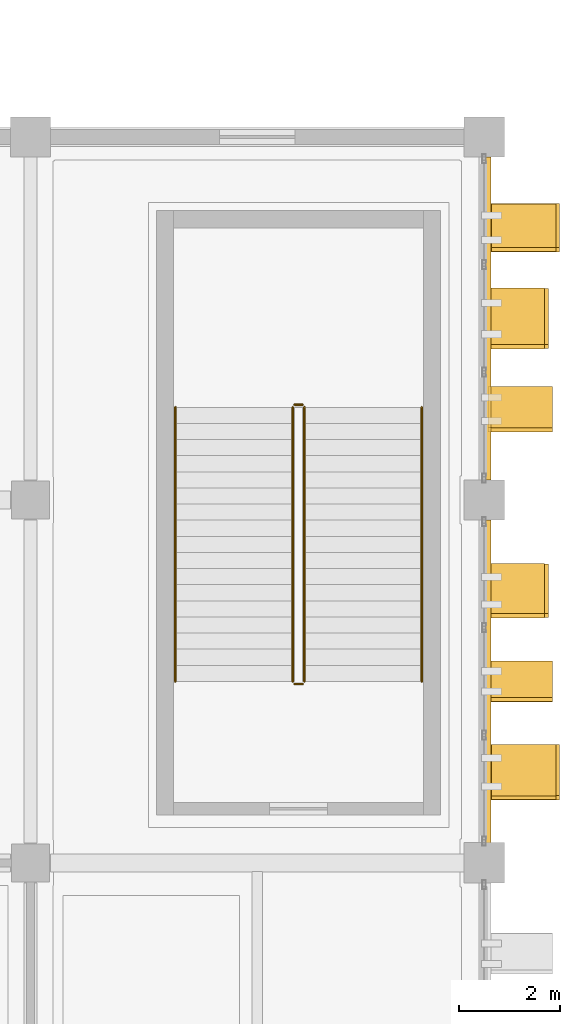
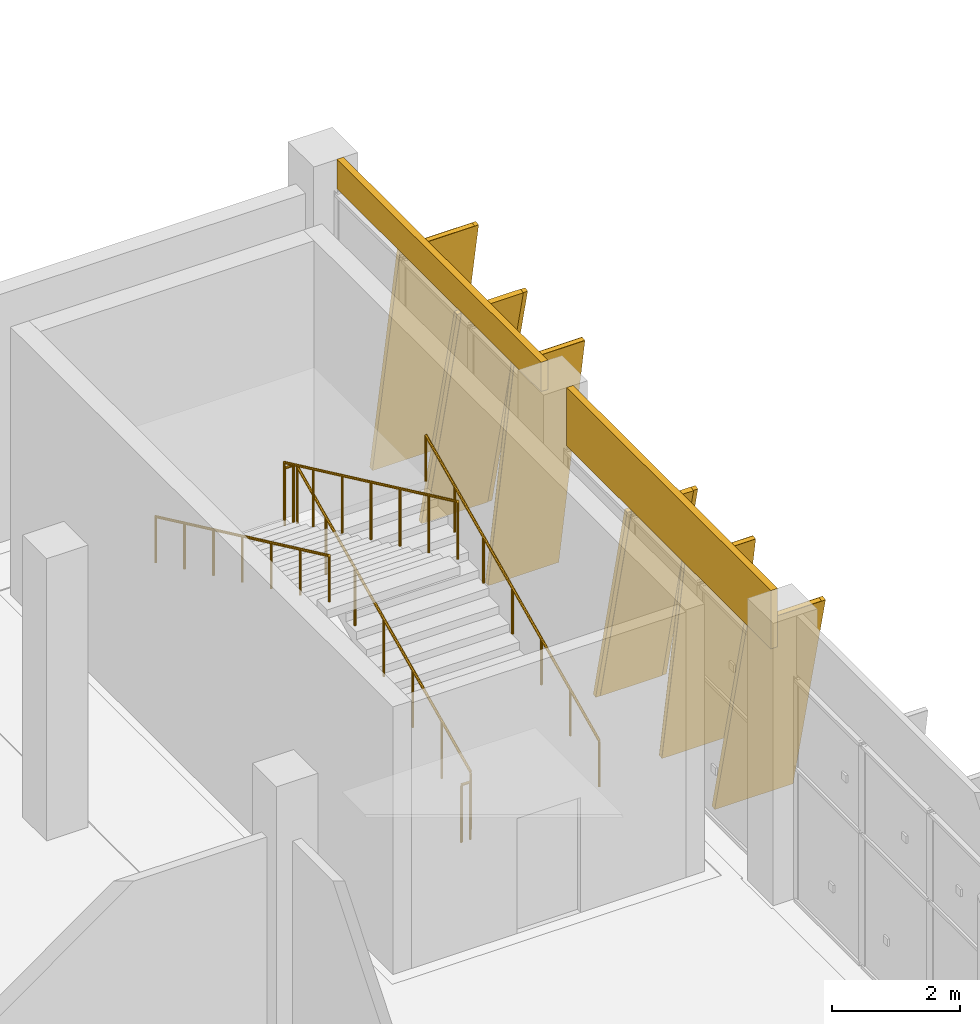
# One storey, part 123 of 137: 8 coverings, 6 railings, 6 shading devices.
"""IFC4 building model written with IfcOpenShell, lengths in metres."""

from ifc_helpers import new_model, si_unit, direction, frame, origin, origin_2d, place, context, subcontext, project, spatial, rectangle, circle, extrude, material, layer, layer_set, material_profile, profile_set, type_object, element, save


model = new_model("IFC4")

# Units and contexts
model_context = context("Model", 3, precision=1e-05, world=origin(), true_north=direction((0.0, 1.0)))
body_context = subcontext(model_context, "Body", "Model", "MODEL_VIEW")
ifc_project = project(units=[si_unit("LENGTHUNIT", "METRE"), si_unit("AREAUNIT", "SQUARE_METRE"), si_unit("VOLUMEUNIT", "CUBIC_METRE"), si_unit("PLANEANGLEUNIT", "RADIAN"), si_unit("MASSUNIT", "GRAM", prefix="KILO")], contexts=[model_context])

# Site, building, storey
site_placement = place(None, origin())
site = spatial("IfcSite", under=ifc_project, at=site_placement, CompositionType="ELEMENT")
building_placement = place(site_placement, origin())
building = spatial("IfcBuilding", under=site, at=building_placement, Name="Celestram Park Convention Centre", CompositionType="ELEMENT")
storey_placement = place(building_placement, origin())
storey = spatial("IfcBuildingStorey", under=building, at=storey_placement, Name="L00", CompositionType="ELEMENT", Elevation=0.0)

# Coverings
ifc_material_1 = material(Name="Anodised Bronze Aluminium Spandrel Cladding", Category="aluminium")
ifc_layer_1 = layer(ifc_material_1, 0.050048828125)
ifc_layer_set_1 = layer_set([ifc_layer_1], Name="Anodised Bronze Aluminium Spandrel Cladding")
covering_type_1 = type_object("IfcCoveringType", Name="ARC-COV-CLD060", PredefinedType="CLADDING", material=ifc_layer_set_1)
covering_1_placement = place(storey_placement, frame((216.080078125, 32.39990234375, 4.840087890625), z_axis=(0.0, 0.0, 1.0), x_axis=(0.0, -1.0, 0.0)))
element("IfcCovering", 1, at=covering_1_placement, inside=storey, type_object=covering_type_1, Name="Bronze spandrel cladding CL-L00-021", PredefinedType="CLADDING", context=body_context, shape_type="SweptSolid", body=[
    extrude(rectangle(XDim=6.404052734375, YDim=0.1201171875, at=origin_2d()), origin(), (0.0, 0.0, 1.0), 0.56005859375),
])
covering_2_placement = place(storey_placement, frame((216.080078125, 25.199951171875, 4.2841796875), z_axis=(0.0, 0.0, 1.0), x_axis=(0.0, -1.0, 0.0)))
element("IfcCovering", 2, at=covering_2_placement, inside=storey, type_object=covering_type_1, Name="Bronze spandrel cladding CL-L00-022", PredefinedType="CLADDING", context=body_context, shape_type="SweptSolid", body=[
    extrude(rectangle(XDim=6.404052734375, YDim=0.1201171875, at=origin_2d()), origin(), (0.0, 0.0, 1.0), 1.115966796875),
])
ifc_material_2 = material(Name="Timber-Toned Anodised Aluminium Alloy 6063-T6", Category="wood")
ifc_material_profile_1 = material_profile(ifc_material_2, rectangle(XDim=1.1201171875, YDim=0.090087890625, at=origin_2d()), Name="REED1120X90")
ifc_profile_set_1 = profile_set([ifc_material_profile_1], Name="Timber-Toned Anodised Aluminium Alloy 6063-T6")
covering_type_2 = type_object("IfcCoveringType", Name="ARC-COV-FIN1120", PredefinedType="CLADDING", material=ifc_profile_set_1)
covering_3_placement = place(storey_placement, frame((216.639892578125, 32.95751953125, 0.070556640625), z_axis=(0.0, -0.231808084976, 0.972761538991), x_axis=(1.0, 0.0, 0.0)))
element("IfcCovering", 3, at=covering_3_placement, inside=storey, type_object=covering_type_2, Name="Leaning timber-toned reed fin RFN-L00-0069", PredefinedType="CLADDING", context=body_context, shape_type="SweptSolid", body=[
    extrude(rectangle(XDim=1.1201171875, YDim=0.090087890625, at=origin_2d()), origin(), (0.0, 0.0, 1.0), 4.81005859375),
])
covering_4_placement = place(storey_placement, frame((216.639892578125, 27.492919921875, 0.06298828125), z_axis=(0.0, -0.231744667223, 0.972776649192), x_axis=(1.0, 0.0, 0.0)))
element("IfcCovering", 4, at=covering_4_placement, inside=storey, type_object=covering_type_2, Name="Leaning timber-toned reed fin RFN-L00-0071", PredefinedType="CLADDING", context=body_context, shape_type="SweptSolid", body=[
    extrude(rectangle(XDim=1.1201171875, YDim=0.090087890625, at=origin_2d()), origin(), (0.0, 0.0, 1.0), 4.25390625),
])
ifc_material_profile_2 = material_profile(ifc_material_2, rectangle(XDim=1.280029296875, YDim=0.090087890625, at=origin_2d()), Name="REED1280X90")
ifc_profile_set_2 = profile_set([ifc_material_profile_2], Name="Timber-Toned Anodised Aluminium Alloy 6063-T6")
covering_type_3 = type_object("IfcCoveringType", Name="ARC-COV-FIN1280", PredefinedType="CLADDING", material=ifc_profile_set_2)
covering_5_placement = place(storey_placement, frame((216.719970703125, 31.009521484375, 0.0400390625), z_axis=(0.0, -0.170240052999, 0.985402620432), x_axis=(1.0, 0.0, 0.0)))
element("IfcCovering", 5, at=covering_5_placement, inside=storey, type_object=covering_type_3, Name="Leaning timber-toned reed fin RFN-L00-0070", PredefinedType="CLADDING", context=body_context, shape_type="SweptSolid", body=[
    extrude(rectangle(XDim=1.280029296875, YDim=0.090087890625, at=origin_2d()), origin(), (0.0, 0.0, 1.0), 4.81005859375),
])
covering_6_placement = place(storey_placement, frame((216.719970703125, 25.56201171875, 0.035888671875), z_axis=(0.0, -0.170212469011, 0.985407385498), x_axis=(1.0, 0.0, 0.0)))
element("IfcCovering", 6, at=covering_6_placement, inside=storey, type_object=covering_type_3, Name="Leaning timber-toned reed fin RFN-L00-0072", PredefinedType="CLADDING", context=body_context, shape_type="SweptSolid", body=[
    extrude(rectangle(XDim=1.280029296875, YDim=0.090087890625, at=origin_2d()), origin(), (0.0, 0.0, 1.0), 4.254150390625),
])
ifc_material_profile_3 = material_profile(ifc_material_2, rectangle(XDim=1.419921875, YDim=0.090087890625, at=origin_2d()), Name="REED1420X90")
ifc_profile_set_3 = profile_set([ifc_material_profile_3], Name="Timber-Toned Anodised Aluminium Alloy 6063-T6")
covering_type_4 = type_object("IfcCoveringType", Name="ARC-COV-FIN1420", PredefinedType="CLADDING", material=ifc_profile_set_3)
covering_7_placement = place(storey_placement, frame((216.7900390625, 34.634033203125, 0.04443359375), z_axis=(0.0, -0.180493192635, 0.983576233656), x_axis=(1.0, 0.0, 0.0)))
element("IfcCovering", 7, at=covering_7_placement, inside=storey, type_object=covering_type_4, Name="Leaning timber-toned reed fin RFN-L00-0068", PredefinedType="CLADDING", context=body_context, shape_type="SweptSolid", body=[
    extrude(rectangle(XDim=1.419921875, YDim=0.090087890625, at=origin_2d()), origin(), (0.0, 0.0, 1.0), 4.81005859375),
])
covering_8_placement = place(storey_placement, frame((216.7900390625, 23.907470703125, 0.06640625), z_axis=(0.0, -0.238576962155, 0.971123593127), x_axis=(1.0, 0.0, 0.0)))
element("IfcCovering", 8, at=covering_8_placement, inside=storey, type_object=covering_type_4, Name="Leaning timber-toned reed fin RFN-L00-0073", PredefinedType="CLADDING", context=body_context, shape_type="SweptSolid", body=[
    extrude(rectangle(XDim=1.419921875, YDim=0.090087890625, at=origin_2d()), origin(), (0.0, 0.0, 1.0), 4.25390625),
])

# Shading devices
ifc_material_3 = material(Name="Anodised Bronze Aluminium Alloy 6063-T6", Category="aluminium")
ifc_material_profile_4 = material_profile(ifc_material_3, rectangle(XDim=1.280029296875, YDim=0.080078125, at=origin_2d()), Name="FIN1280X80")
ifc_profile_set_4 = profile_set([ifc_material_profile_4], Name="Anodised Bronze Aluminium Alloy 6063-T6")
shading_device_type = type_object("IfcShadingDeviceType", Name="ARC-FIN-BZ1280", PredefinedType="USERDEFINED", material=ifc_profile_set_4)
for number, where, z_axis, x_axis, name in (
    (9, (216.7900390625, 34.634033203125, 0.04443359375), (0.0, -0.180493192635, 0.983576233656), (1.0, 0.0, 0.0), "Expressive solar fin FN-L00-0068"),
    (10, (216.639892578125, 32.95751953125, 0.070556640625), (0.0, -0.231808084976, 0.972761538991), (1.0, 0.0, 0.0), "Expressive solar fin FN-L00-0069"),
    (11, (216.719970703125, 31.009521484375, 0.0400390625), (0.0, -0.170240052999, 0.985402620432), (1.0, 0.0, 0.0), "Expressive solar fin FN-L00-0070"),
):
    element("IfcShadingDevice", number, at=place(storey_placement, frame(where, z_axis=z_axis, x_axis=x_axis)), inside=storey, type_object=shading_device_type, Name=name, ObjectType="SOLAR_FIN", PredefinedType="USERDEFINED", context=body_context, shape_type="SweptSolid", body=[
        extrude(rectangle(XDim=1.280029296875, YDim=0.080078125, at=origin_2d()), origin(), (0.0, 0.0, 1.0), 4.81005859375),
    ])
shading_device_1_placement = place(storey_placement, frame((216.639892578125, 27.492919921875, 0.06298828125), z_axis=(0.0, -0.231744667223, 0.972776649192), x_axis=(1.0, 0.0, 0.0)))
element("IfcShadingDevice", 12, at=shading_device_1_placement, inside=storey, type_object=shading_device_type, Name="Expressive solar fin FN-L00-0071", ObjectType="SOLAR_FIN", PredefinedType="USERDEFINED", context=body_context, shape_type="SweptSolid", body=[
    extrude(rectangle(XDim=1.280029296875, YDim=0.080078125, at=origin_2d()), origin(), (0.0, 0.0, 1.0), 4.25390625),
])
shading_device_2_placement = place(storey_placement, frame((216.719970703125, 25.56201171875, 0.035888671875), z_axis=(0.0, -0.170212469011, 0.985407385498), x_axis=(1.0, 0.0, 0.0)))
element("IfcShadingDevice", 13, at=shading_device_2_placement, inside=storey, type_object=shading_device_type, Name="Expressive solar fin FN-L00-0072", ObjectType="SOLAR_FIN", PredefinedType="USERDEFINED", context=body_context, shape_type="SweptSolid", body=[
    extrude(rectangle(XDim=1.280029296875, YDim=0.080078125, at=origin_2d()), origin(), (0.0, 0.0, 1.0), 4.254150390625),
])
shading_device_3_placement = place(storey_placement, frame((216.7900390625, 23.907470703125, 0.06640625), z_axis=(0.0, -0.238576962155, 0.971123593127), x_axis=(1.0, 0.0, 0.0)))
element("IfcShadingDevice", 14, at=shading_device_3_placement, inside=storey, type_object=shading_device_type, Name="Expressive solar fin FN-L00-0073", ObjectType="SOLAR_FIN", PredefinedType="USERDEFINED", context=body_context, shape_type="SweptSolid", body=[
    extrude(rectangle(XDim=1.280029296875, YDim=0.080078125, at=origin_2d()), origin(), (0.0, 0.0, 1.0), 4.25390625),
])

# Railings
ifc_material_4 = material(Name="Stainless Steel AISI 316L & Laminated Glass", Category="steel")
ifc_layer_2 = layer(ifc_material_4, 0.06005859375)
ifc_layer_set_2 = layer_set([ifc_layer_2], Name="Stainless Steel AISI 316L & Laminated Glass")
railing_type_1 = type_object("IfcRailingType", Name="ARC-RL-GRD1120", PredefinedType="GUARDRAIL", material=ifc_layer_set_2)
railing_1_placement = place(storey_placement, frame((212.43603515625, 25.199951171875, 0.14990234375)))
element("IfcRailing", 15, at=railing_1_placement, inside=storey, type_object=railing_type_1, Name="L00 ST-12 stair guard 1", PredefinedType="GUARDRAIL", context=body_context, shape_type="SweptSolid", body=[
    extrude(circle(Radius=0.02392578125, at=origin_2d()), frame((0.0, 0.0, 1.09619140625), z_axis=(0.0, 0.90545405566, 0.424444287379), x_axis=(-1.0, 0.0, 0.0)), (0.0, 0.0, 1.0), 6.008056640625),
    extrude(circle(Radius=0.02099609375, at=origin_2d()), origin(), (0.0, 0.0, 1.0), 1.072021484375),
    extrude(circle(Radius=0.02099609375, at=origin_2d()), frame((0.0, 0.90673828125, 0.425048828125)), (0.0, 0.0, 1.0), 1.072021484375),
    extrude(circle(Radius=0.02099609375, at=origin_2d()), frame((0.0, 1.813232421875, 0.85009765625)), (0.0, 0.0, 1.0), 1.072021484375),
    extrude(circle(Radius=0.02099609375, at=origin_2d()), frame((0.0, 2.719970703125, 1.27490234375)), (0.0, 0.0, 1.0), 1.072021484375),
    extrude(circle(Radius=0.02099609375, at=origin_2d()), frame((0.0, 3.626708984375, 1.699951171875)), (0.0, 0.0, 1.0), 1.072021484375),
    extrude(circle(Radius=0.02099609375, at=origin_2d()), frame((0.0, 4.533203125, 2.125)), (0.0, 0.0, 1.0), 1.072021484375),
    extrude(circle(Radius=0.02099609375, at=origin_2d()), frame((0.0, 5.43994140625, 2.550048828125)), (0.0, 0.0, 1.0), 1.072021484375),
])
railing_2_placement = place(storey_placement, frame((212.39990234375, 30.68994140625, 2.699951171875)))
element("IfcRailing", 16, at=railing_2_placement, inside=storey, type_object=railing_type_1, Name="L00 ST-12 stair guard 2", PredefinedType="GUARDRAIL", context=body_context, shape_type="SweptSolid", body=[
    extrude(circle(Radius=0.02392578125, at=origin_2d()), frame((0.0, 0.0, 1.09619140625), z_axis=(-1.0, 0.0, 0.0), x_axis=(0.0, -1.0, 0.0)), (0.0, 0.0, 1.0), 0.159912109375),
    extrude(circle(Radius=0.02099609375, at=origin_2d()), origin(), (0.0, 0.0, 1.0), 1.072021484375),
    extrude(circle(Radius=0.02099609375, at=origin_2d()), frame((-0.159912109375, 0.0, 0.0)), (0.0, 0.0, 1.0), 1.072021484375),
])
railing_3_placement = place(storey_placement, frame((212.2041015625, 30.639892578125, 2.85009765625)))
element("IfcRailing", 17, at=railing_3_placement, inside=storey, type_object=railing_type_1, Name="L00 ST-12 stair guard 3", PredefinedType="GUARDRAIL", context=body_context, shape_type="SweptSolid", body=[
    extrude(circle(Radius=0.02392578125, at=origin_2d()), frame((0.0, 0.0, 1.09619140625), z_axis=(0.0, -0.90546967238, 0.424410971113), x_axis=(1.0, 0.0, 0.0)), (0.0, 0.0, 1.0), 6.0078125),
    extrude(circle(Radius=0.02099609375, at=origin_2d()), origin(), (0.0, 0.0, 1.0), 1.072021484375),
    extrude(circle(Radius=0.02099609375, at=origin_2d()), frame((0.0, -0.90673828125, 0.425048828125)), (0.0, 0.0, 1.0), 1.072021484375),
    extrude(circle(Radius=0.02099609375, at=origin_2d()), frame((0.0, -1.813232421875, 0.849853515625)), (0.0, 0.0, 1.0), 1.072021484375),
    extrude(circle(Radius=0.02099609375, at=origin_2d()), frame((0.0, -2.719970703125, 1.27490234375)), (0.0, 0.0, 1.0), 1.072021484375),
    extrude(circle(Radius=0.02099609375, at=origin_2d()), frame((0.0, -3.626708984375, 1.699951171875)), (0.0, 0.0, 1.0), 1.072021484375),
    extrude(circle(Radius=0.02099609375, at=origin_2d()), frame((0.0, -4.533203125, 2.124755859375)), (0.0, 0.0, 1.0), 1.072021484375),
    extrude(circle(Radius=0.02099609375, at=origin_2d()), frame((0.0, -5.43994140625, 2.5498046875)), (0.0, 0.0, 1.0), 1.072021484375),
])
railing_4_placement = place(storey_placement, frame((212.39990234375, 25.14990234375, 0.0)))
element("IfcRailing", 18, at=railing_4_placement, inside=storey, type_object=railing_type_1, Name="L00 ST-12 stair guard 4", PredefinedType="GUARDRAIL", context=body_context, shape_type="SweptSolid", body=[
    extrude(circle(Radius=0.02392578125, at=origin_2d()), frame((0.0, 0.0, 1.09619140625), z_axis=(-1.0, 0.0, 0.0), x_axis=(0.0, -1.0, 0.0)), (0.0, 0.0, 1.0), 0.159912109375),
    extrude(circle(Radius=0.02099609375, at=origin_2d()), origin(), (0.0, 0.0, 1.0), 1.072021484375),
    extrude(circle(Radius=0.02099609375, at=origin_2d()), frame((-0.159912109375, 0.0, 0.0)), (0.0, 0.0, 1.0), 1.072021484375),
])
ifc_material_5 = material(Name="Brushed Stainless Steel AISI 304", Category="steel")
ifc_layer_3 = layer(ifc_material_5, 0.048095703125)
ifc_layer_set_3 = layer_set([ifc_layer_3], Name="Brushed Stainless Steel AISI 304")
railing_type_2 = type_object("IfcRailingType", Name="ARC-RL-HND915", PredefinedType="HANDRAIL", material=ifc_layer_set_3)
railing_5_placement = place(storey_placement, frame((214.763916015625, 25.199951171875, 0.14990234375)))
element("IfcRailing", 19, at=railing_5_placement, inside=storey, type_object=railing_type_2, Name="L00 ST-12 stair handrail 1", PredefinedType="HANDRAIL", context=body_context, shape_type="SweptSolid", body=[
    extrude(circle(Radius=0.02392578125, at=origin_2d()), frame((0.0, 0.0, 0.8759765625), z_axis=(0.0, 0.90545405566, 0.424444287379), x_axis=(-1.0, 0.0, 0.0)), (0.0, 0.0, 1.0), 6.008056640625),
    extrude(circle(Radius=0.02099609375, at=origin_2d()), origin(), (0.0, 0.0, 1.0), 0.851806640625),
    extrude(circle(Radius=0.02099609375, at=origin_2d()), frame((0.0, 0.90673828125, 0.425048828125)), (0.0, 0.0, 1.0), 0.851806640625),
    extrude(circle(Radius=0.02099609375, at=origin_2d()), frame((0.0, 1.813232421875, 0.85009765625)), (0.0, 0.0, 1.0), 0.851806640625),
    extrude(circle(Radius=0.02099609375, at=origin_2d()), frame((0.0, 2.719970703125, 1.27490234375)), (0.0, 0.0, 1.0), 0.851806640625),
    extrude(circle(Radius=0.02099609375, at=origin_2d()), frame((0.0, 3.626708984375, 1.699951171875)), (0.0, 0.0, 1.0), 0.851806640625),
    extrude(circle(Radius=0.02099609375, at=origin_2d()), frame((0.0, 4.533203125, 2.125)), (0.0, 0.0, 1.0), 0.851806640625),
    extrude(circle(Radius=0.02099609375, at=origin_2d()), frame((0.0, 5.43994140625, 2.550048828125)), (0.0, 0.0, 1.0), 0.851806640625),
])
railing_6_placement = place(storey_placement, frame((209.8759765625, 30.639892578125, 2.85009765625)))
element("IfcRailing", 20, at=railing_6_placement, inside=storey, type_object=railing_type_2, Name="L00 ST-12 stair handrail 2", PredefinedType="HANDRAIL", context=body_context, shape_type="SweptSolid", body=[
    extrude(circle(Radius=0.02392578125, at=origin_2d()), frame((0.0, 0.0, 0.8759765625), z_axis=(0.0, -0.90546967238, 0.424410971113), x_axis=(1.0, 0.0, 0.0)), (0.0, 0.0, 1.0), 6.0078125),
    extrude(circle(Radius=0.02099609375, at=origin_2d()), origin(), (0.0, 0.0, 1.0), 0.851806640625),
    extrude(circle(Radius=0.02099609375, at=origin_2d()), frame((0.0, -0.90673828125, 0.425048828125)), (0.0, 0.0, 1.0), 0.851806640625),
    extrude(circle(Radius=0.02099609375, at=origin_2d()), frame((0.0, -1.813232421875, 0.849853515625)), (0.0, 0.0, 1.0), 0.851806640625),
    extrude(circle(Radius=0.02099609375, at=origin_2d()), frame((0.0, -2.719970703125, 1.27490234375)), (0.0, 0.0, 1.0), 0.851806640625),
    extrude(circle(Radius=0.02099609375, at=origin_2d()), frame((0.0, -3.626708984375, 1.699951171875)), (0.0, 0.0, 1.0), 0.851806640625),
    extrude(circle(Radius=0.02099609375, at=origin_2d()), frame((0.0, -4.533203125, 2.124755859375)), (0.0, 0.0, 1.0), 0.851806640625),
    extrude(circle(Radius=0.02099609375, at=origin_2d()), frame((0.0, -5.43994140625, 2.5498046875)), (0.0, 0.0, 1.0), 0.851806640625),
])

save(model, "model.ifc")
